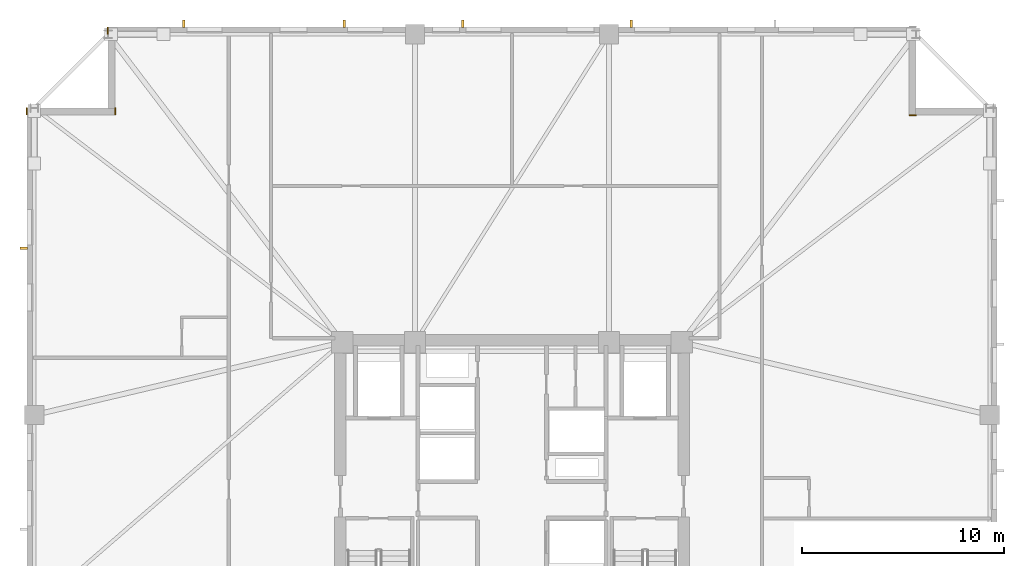
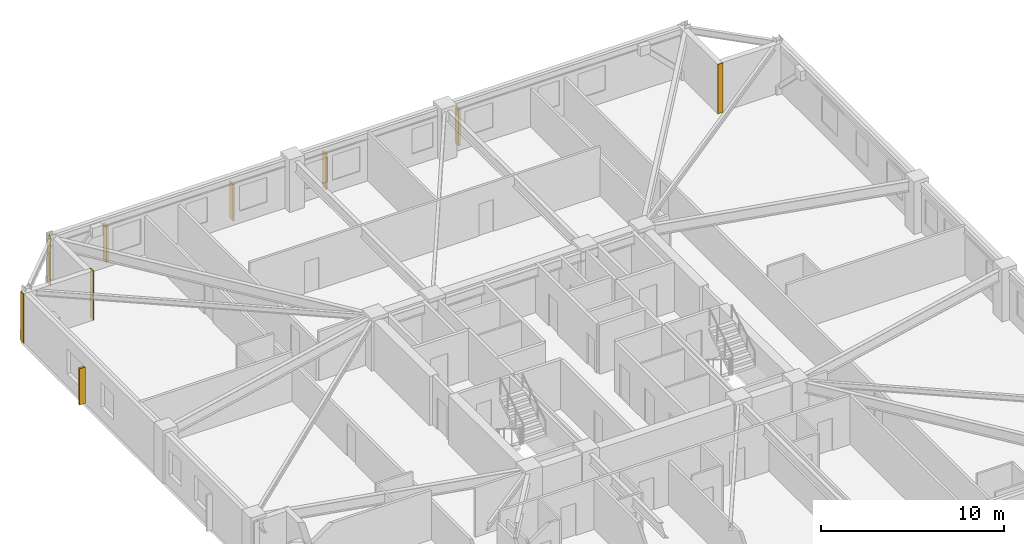
# One storey, part 9 of 10: 5 shading devices, 4 coverings.
"""IFC4 building model written with IfcOpenShell, lengths in metres."""

import ifcopenshell
import ifcopenshell.guid

model = None  # the IFC model being written
_history = None  # IfcOwnerHistory: only IFC2X3 demands one
_inside = {}  # id of a spatial element -> (the spatial element, [elements in it])
_under = {}  # id of a project, library or spatial element -> (it, [spatial elements below it])
_declared = {}  # id of a project -> (the project, [libraries it declares])
_typed = {}  # id of a type object -> (the type object, [elements of that type])
_made_of = {}  # id of a material, layer set ... -> (it, [elements and type objects made of it])


def new_model(schema):
    """Start an empty IFC model of exactly this schema.

    Asked for "IFC4X3", IfcOpenShell would pick the latest addendum, in which some entities
    have other attributes; the version numbers below select the first issue.
    IFC2X3 requires an IfcOwnerHistory on every rooted entity: one is made here for all.
    """
    global model, _history
    if schema == "IFC4X3":
        model = ifcopenshell.file(schema_version=(4, 3, 0, 0))
    else:
        model = ifcopenshell.file(schema=schema)
    _inside.clear()
    _under.clear()
    _declared.clear()
    _typed.clear()
    _made_of.clear()
    _history = None
    if model.schema == "IFC2X3":
        org = make("IfcOrganization", Name="unknown")
        user = make(
            "IfcPersonAndOrganization",
            ThePerson=make("IfcPerson", FamilyName="unknown"),
            TheOrganization=org,
        )
        app = make(
            "IfcApplication",
            ApplicationDeveloper=org,
            Version="unknown",
            ApplicationFullName="unknown",
            ApplicationIdentifier="unknown",
        )
        _history = make(
            "IfcOwnerHistory",
            OwningUser=user,
            OwningApplication=app,
            ChangeAction="ADDED",
            CreationDate=0,
        )
    return model


def make(cls, **values):
    """One entity of the class cls with the attributes given. An attribute that is None is left unset."""
    return model.create_entity(
        cls, **{name: value for name, value in values.items() if value is not None}
    )


def rooted(cls, **values):
    """An entity with a GlobalId (a new one), such as an element, a storey or a relation."""
    return make(cls, GlobalId=ifcopenshell.guid.new(), OwnerHistory=_history, **values)


def si_unit(unit_type, name, prefix=None):
    """IfcSIUnit, for example si_unit("LENGTHUNIT", "METRE", prefix="MILLI")."""
    return make("IfcSIUnit", UnitType=unit_type, Prefix=prefix, Name=name)


def assignment(units):
    """IfcUnitAssignment: the units of a project."""
    return None if units is None else make("IfcUnitAssignment", Units=units)


def point(xyz):
    """IfcCartesianPoint."""
    return None if xyz is None else make("IfcCartesianPoint", Coordinates=xyz)


def direction(xyz):
    """IfcDirection."""
    return None if xyz is None else make("IfcDirection", DirectionRatios=xyz)


def frame(location, z_axis=None, x_axis=None):
    """IfcAxis2Placement3D, a coordinate frame: its origin and axes. An axis left out is left unset."""
    return make(
        "IfcAxis2Placement3D",
        Location=point(location),
        Axis=direction(z_axis),
        RefDirection=direction(x_axis),
    )


def frame_2d(location, x_axis=None):
    """IfcAxis2Placement2D, a coordinate frame in the plane: its origin and x axis."""
    return make(
        "IfcAxis2Placement2D", Location=point(location), RefDirection=direction(x_axis)
    )


def origin():
    """The frame at (0, 0, 0) with its axes left unset."""
    return frame((0.0, 0.0, 0.0))


def origin_2d():
    """The frame at (0, 0) in the plane with its x axis left unset."""
    return frame_2d((0.0, 0.0))


def place(relative_to, where):
    """IfcLocalPlacement: puts the frame where relative to a parent placement (None: the world)."""
    return make(
        "IfcLocalPlacement", PlacementRelTo=relative_to, RelativePlacement=where
    )


def context(
    kind, dimensions, precision=None, world=None, true_north=None, identifier=None
):
    """IfcGeometricRepresentationContext, for example the 3D "Model" context."""
    return make(
        "IfcGeometricRepresentationContext",
        ContextIdentifier=identifier,
        ContextType=kind,
        CoordinateSpaceDimension=dimensions,
        Precision=precision,
        WorldCoordinateSystem=world,
        TrueNorth=true_north,
    )


def subcontext(parent, identifier, kind, view, scale=None):
    """IfcGeometricRepresentationSubContext, for example "Body" below "Model"."""
    return make(
        "IfcGeometricRepresentationSubContext",
        ContextIdentifier=identifier,
        ContextType=kind,
        ParentContext=parent,
        TargetScale=scale,
        TargetView=view,
    )


def project(units=None, contexts=None):
    """IfcProject with its units and contexts."""
    return rooted(
        "IfcProject",
        Name="project",
        RepresentationContexts=contexts,
        UnitsInContext=assignment(units),
    )


def spatial(cls, under=None, at=None, **own):
    """A site, building, storey or space (cls), placed at a placement, below another one or the project."""
    s = rooted(cls, ObjectPlacement=at, **own)
    if under is not None:
        _under.setdefault(under.id(), (under, []))[1].append(s)
    return s


def profile(cls, at=None, kind="AREA", **sizes):
    """A parametric profile (cls). Its sizes go by their IFC names, for example OverallWidth=200.0."""
    return make(cls, ProfileType=kind, Position=at, **sizes)


def rectangle(**sizes):
    """IfcRectangleProfileDef."""
    return profile("IfcRectangleProfileDef", **sizes)


def extrude(swept, where, along, depth):
    """IfcExtrudedAreaSolid: the profile swept, set in the frame where, extruded along a direction by depth."""
    return make(
        "IfcExtrudedAreaSolid",
        SweptArea=swept,
        Position=where,
        ExtrudedDirection=direction(along),
        Depth=depth,
    )


def shape(context_of_items, identifier, shape_type, items):
    """IfcShapeRepresentation: the items that make up one representation, for example the "Body"."""
    return make(
        "IfcShapeRepresentation",
        ContextOfItems=context_of_items,
        RepresentationIdentifier=identifier,
        RepresentationType=shape_type,
        Items=items,
    )


def material(Name=None, Category=None):
    """IfcMaterial."""
    return make("IfcMaterial", Name=Name, Category=Category)


def layer(
    of_material, thickness, ventilated=None, Name=None, Category=None, Priority=None
):
    """IfcMaterialLayer: one layer of a wall or slab, of a material (None: an air gap)."""
    return make(
        "IfcMaterialLayer",
        Material=of_material,
        LayerThickness=thickness,
        IsVentilated=ventilated,
        Name=Name,
        Category=Category,
        Priority=Priority,
    )


def layer_set(layers, Name=None):
    """IfcMaterialLayerSet."""
    return make("IfcMaterialLayerSet", MaterialLayers=layers, LayerSetName=Name)


def made_of(thing, what):
    """Note that an element or type object is made of a material, layer set ...; save() writes the relation."""
    if what is not None:
        _made_of.setdefault(what.id(), (what, []))[1].append(thing)
    return thing


def type_object(cls, material=None, **own):
    """A type object (cls), such as IfcWallType, which elements share."""
    return made_of(rooted(cls, **own), material)


def element(
    cls,
    number,
    at=None,
    inside=None,
    cuts=None,
    type_object=None,
    material=None,
    context=None,
    identifier="Body",
    shape_type=None,
    held_by="IfcProductDefinitionShape",
    body=None,
    shapes=None,
    **own,
):
    """One element of the class cls, such as IfcWall. Its Tag is "e" and its number.

    at: its placement. inside: the storey or other place that contains it. cuts: it is an
    opening in that element (IfcRelVoidsElement). A single representation is given by context,
    identifier, shape_type and body (its items); several are given by shapes. held_by: the class
    of the entity that holds the representations. save() writes the other relations.
    """
    e = rooted(cls, Tag="e%d" % number, ObjectPlacement=at, **own)
    if body is not None:
        shapes = [shape(context, identifier, shape_type, body)]
    if shapes is not None:
        e.Representation = make(held_by, Representations=shapes)
    if inside is not None:
        _inside.setdefault(inside.id(), (inside, []))[1].append(e)
    if cuts is not None:
        rooted(
            "IfcRelVoidsElement", RelatingBuildingElement=cuts, RelatedOpeningElement=e
        )
    if type_object is not None:
        _typed.setdefault(type_object.id(), (type_object, []))[1].append(e)
    return made_of(e, material)


def aggregate(whole, parts):
    """IfcRelAggregates: a whole, such as a stair, and the parts it consists of."""
    return rooted("IfcRelAggregates", RelatingObject=whole, RelatedObjects=parts)


def save(model, path):
    """Write the relations noted so far, then the file.

    IfcRelAggregates (storeys below a building ...), IfcRelContainedInSpatialStructure (elements
    in a storey), IfcRelDefinesByType, IfcRelAssociatesMaterial and IfcRelDeclares: one each for
    every whole, place, type object, material and project.
    """
    for whole, parts in _under.values():
        aggregate(whole, parts)
    for where, things in _inside.values():
        rooted(
            "IfcRelContainedInSpatialStructure",
            RelatedElements=things,
            RelatingStructure=where,
        )
    for kind, things in _typed.values():
        rooted("IfcRelDefinesByType", RelatedObjects=things, RelatingType=kind)
    for what, things in _made_of.values():
        rooted("IfcRelAssociatesMaterial", RelatedObjects=things, RelatingMaterial=what)
    for by, libraries in _declared.values():
        rooted("IfcRelDeclares", RelatingContext=by, RelatedDefinitions=libraries)
    model.write(path)


model = new_model("IFC4")

# Units and contexts
model_context = context("Model", 3, precision=1e-05, world=origin(), true_north=direction((0.0, 1.0)))
body_context = subcontext(model_context, "Body", "Model", "MODEL_VIEW")
ifc_project = project(units=[si_unit("LENGTHUNIT", "METRE"), si_unit("AREAUNIT", "SQUARE_METRE"), si_unit("VOLUMEUNIT", "CUBIC_METRE"), si_unit("PLANEANGLEUNIT", "RADIAN"), si_unit("MASSUNIT", "GRAM", prefix="KILO")], contexts=[model_context])

# Site, building, storey
site_placement = place(None, origin())
site = spatial("IfcSite", under=ifc_project, at=site_placement, CompositionType="ELEMENT")
building_placement = place(site_placement, origin())
building = spatial("IfcBuilding", under=site, at=building_placement, Name="Cairnveth Concourse Tower", CompositionType="ELEMENT")
storey_placement = place(building_placement, frame((0.0, 0.0, 137.5)))
storey = spatial("IfcBuildingStorey", under=building, at=storey_placement, Name="L37", CompositionType="ELEMENT", Elevation=137.5)

# Coverings
ifc_material_1 = material(Name="Dressed Melbourne Bluestone Cladding", Category="masonry")
ifc_layer = layer(ifc_material_1, 0.050048828125)
ifc_layer_set = layer_set([ifc_layer], Name="Dressed Melbourne Bluestone Cladding")
covering_type = type_object("IfcCoveringType", Name="DRESSED BLUESTONE PLINTH CLADDING 50", PredefinedType="CLADDING", material=ifc_layer_set)
for number, where, z_axis, x_axis, name in (
    (1, (27.97998046875, 58.659912109375, 0.0), (0.0, 0.0, 1.0), (0.0, 1.0, 0.0), "Melbourne Bluestone Corner Quoin L37-532"),
    (2, (32.360107421875, 58.659912109375, 0.0), (0.0, 0.0, 1.0), (0.0, 1.0, 0.0), "Melbourne Bluestone Corner Quoin L37-533"),
    (3, (31.97998046875, 62.659912109375, 0.0), (0.0, 0.0, 1.0), (0.0, 1.0, 0.0), "Melbourne Bluestone Corner Quoin L37-534"),
    (4, (71.659912109375, 58.639892578125, 0.0), (0.0, 0.0, 1.0), (1.0, 0.0, 0.0), "Melbourne Bluestone Corner Quoin L37-536"),
):
    element("IfcCovering", number, at=place(storey_placement, frame(where, z_axis=z_axis, x_axis=x_axis)), inside=storey, type_object=covering_type, Name=name, PredefinedType="CLADDING", context=body_context, shape_type="SweptSolid", body=[
        extrude(rectangle(XDim=0.340087890625, YDim=0.050048828125, at=frame_2d((0.169921875, 0.0))), origin(), (0.0, 0.0, 1.0), 3.280029296875),
    ])

# Shading devices
ifc_material_2 = material(Name="Architectural Bronze Anodised Aluminium 6063-T6", Category="aluminium")
shading_device_type = type_object("IfcShadingDeviceType", Name="GOTHIC BRONZE VERTICAL LANCET FIN", PredefinedType="USERDEFINED", material=ifc_material_2)
for number, where, z_axis, x_axis, name in (
    (5, (27.824951171875, 52.058837890625, 0.030029296875), (0.0, 0.0, 1.0), (0.0, 1.0, 0.0), "Gothic Bronze Vertical Fin L37-0-5"),
    (6, (35.74169921875, 63.175048828125, 0.030029296875), (0.0, 0.0, 1.0), (1.0, 0.0, 0.0), "Gothic Bronze Vertical Fin L37-3-1"),
    (7, (43.698974609375, 63.175048828125, 0.030029296875), (0.0, 0.0, 1.0), (1.0, 0.0, 0.0), "Gothic Bronze Vertical Fin L37-3-3"),
    (8, (49.555908203125, 63.175048828125, 0.030029296875), (0.0, 0.0, 1.0), (1.0, 0.0, 0.0), "Gothic Bronze Vertical Fin L37-3-5"),
    (9, (57.9130859375, 63.175048828125, 0.030029296875), (0.0, 0.0, 1.0), (1.0, 0.0, 0.0), "Gothic Bronze Vertical Fin L37-3-7"),
):
    element("IfcShadingDevice", number, at=place(storey_placement, frame(where, z_axis=z_axis, x_axis=x_axis)), inside=storey, type_object=shading_device_type, Name=name, ObjectType="VERTICAL FIN", PredefinedType="USERDEFINED", context=body_context, shape_type="SweptSolid", body=[
        extrude(rectangle(XDim=0.1201171875, YDim=0.360107421875, at=origin_2d()), origin(), (0.0, 0.0, 1.0), 2.419921875),
    ])

save(model, "model.ifc")
